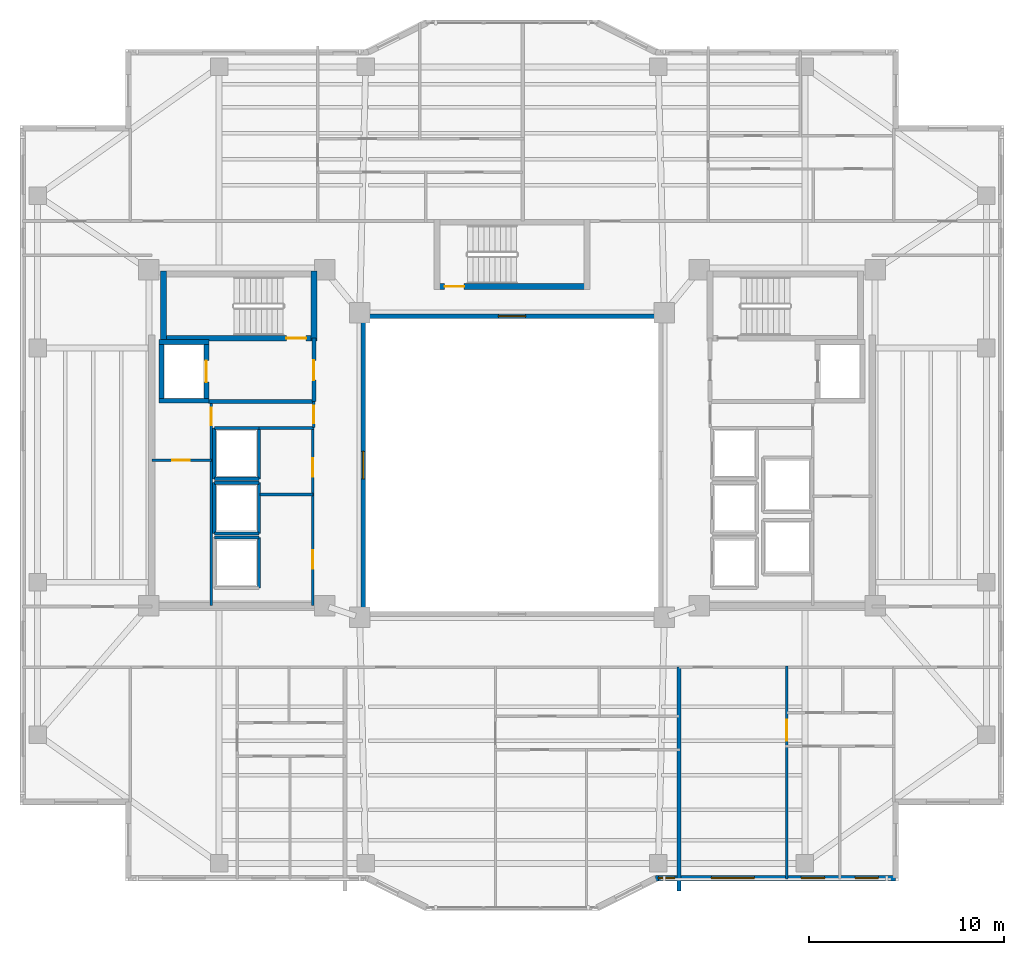
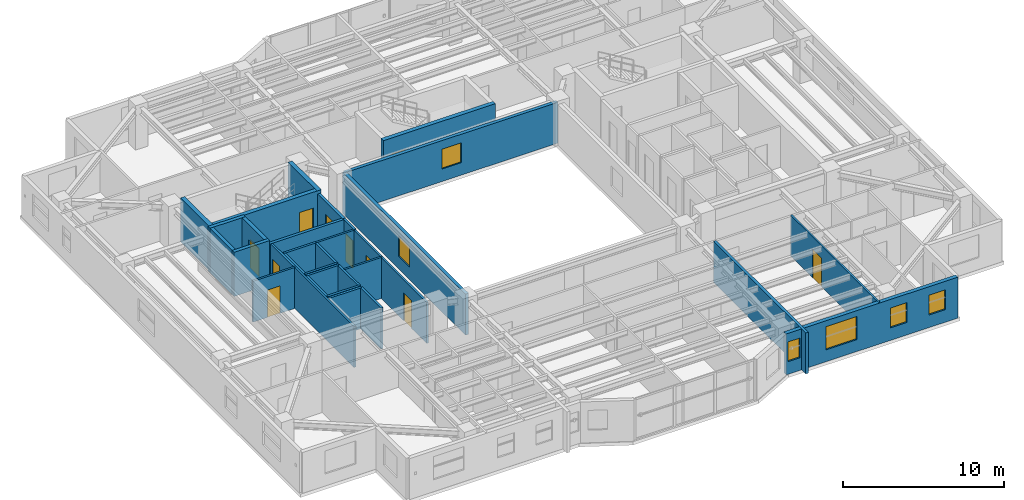
# One storey, part 7 of 15: 31 walls, 10 doors, 6 windows, 16 openings.
"""IFC4 building model written with IfcOpenShell, lengths in metres."""

from ifc_helpers import new_model, si_unit, direction, frame, frame_2d, origin, place, context, subcontext, project, spatial, rectangle, extrude, material, layer, layer_set, type_object, element, fill, save


model = new_model("IFC4")

# Units and contexts
model_context = context("Model", 3, precision=1e-05, world=origin(), true_north=direction((0.0, 1.0)))
body_context = subcontext(model_context, "Body", "Model", "MODEL_VIEW")
ifc_project = project(units=[si_unit("LENGTHUNIT", "METRE"), si_unit("AREAUNIT", "SQUARE_METRE"), si_unit("VOLUMEUNIT", "CUBIC_METRE"), si_unit("PLANEANGLEUNIT", "RADIAN"), si_unit("MASSUNIT", "GRAM", prefix="KILO")], contexts=[model_context])

# Site, building, storey
site_placement = place(None, origin())
site = spatial("IfcSite", under=ifc_project, at=site_placement, CompositionType="ELEMENT")
building_placement = place(site_placement, origin())
building = spatial("IfcBuilding", under=site, at=building_placement, Name="Tarnavaz Court Tower", CompositionType="ELEMENT")
storey_placement = place(building_placement, frame((0.0, 0.0, 159.39990234375)))
storey = spatial("IfcBuildingStorey", under=building, at=storey_placement, Name="L43", CompositionType="ELEMENT", Elevation=159.39990234375)

# Wall
ifc_material_1 = material(Name="Concrete C50/60", Category="concrete")
ifc_layer_1 = layer(ifc_material_1, 0.25)
ifc_layer_set_1 = layer_set([ifc_layer_1], Name="Concrete C50/60")
wall_type_1 = type_object("IfcWallType", Name="WL-CORE-250-C50", PredefinedType="SHEAR", material=ifc_layer_set_1)
wall_1_placement = place(storey_placement, frame((-17.949951171875, 3.175048828125, 0.0), z_axis=(0.0, 0.0, 1.0), x_axis=(0.0, 1.0, 0.0)))
element("IfcWall", 1, at=wall_1_placement, inside=storey, type_object=wall_type_1, Name="L43 Lift FL-W1 Shaft Wall 017", PredefinedType="SHEAR", context=body_context, shape_type="SweptSolid", body=[
    extrude(rectangle(XDim=3.25, YDim=0.25, at=frame_2d((1.625, 0.0))), origin(), (0.0, 0.0, 1.0), 3.35009765625),
])

# Wall, opening, door
wall_2_placement = place(storey_placement, frame((-15.64990234375, 3.175048828125, 0.0), z_axis=(0.0, 0.0, 1.0), x_axis=(0.0, 1.0, 0.0)))
wall_2 = element("IfcWall", 2, at=wall_2_placement, inside=storey, type_object=wall_type_1, Name="L43 Lift FL-W1 Shaft Wall 018", PredefinedType="SHEAR", context=body_context, shape_type="SweptSolid", body=[
    extrude(rectangle(XDim=3.25, YDim=0.25, at=frame_2d((1.625, 0.0))), origin(), (0.0, 0.0, 1.0), 3.35009765625),
])
opening_1_placement = place(wall_2_placement, frame((1.074951171875, 0.0, 0.0)))
opening_1 = element("IfcOpeningElement", 3, at=opening_1_placement, cuts=wall_2, Name="Opening LD1", PredefinedType="OPENING", context=body_context, shape_type="SweptSolid", body=[
    extrude(rectangle(XDim=1.10009765625, YDim=2.14990234375, at=frame_2d((0.550048828125, 1.074951171875))), frame((0.0, 0.135009765625, 0.0), z_axis=(0.0, -1.0, 0.0), x_axis=(1.0, 0.0, 0.0)), (0.0, 0.0, 1.0), 0.27001953125),
])
ifc_material_2 = material(Name="Stainless Steel", Category="steel")
door_type_1 = type_object("IfcDoorType", Name="DR-LD-1100", OperationType="NOTDEFINED", PredefinedType="DOOR", material=ifc_material_2)
door_1_placement = place(opening_1_placement, origin())
door_1 = element("IfcDoor", 4, at=door_1_placement, inside=storey, type_object=door_type_1, Name="L43 Lift Landing Door LD-FL-W1", OperationType="SLIDING_TO_LEFT", OverallHeight=2.14990234375, OverallWidth=1.10009765625, PredefinedType="DOOR", context=body_context, shape_type="SweptSolid", body=[
    extrude(rectangle(XDim=1.10009765625, YDim=2.14990234375, at=frame_2d((0.550048828125, 1.074951171875))), frame((0.0, 0.02490234375, 0.0), z_axis=(0.0, -1.0, 0.0), x_axis=(1.0, 0.0, 0.0)), (0.0, 0.0, 1.0), 0.050048828125),
])
fill(opening_1, door_1)

# Walls
for number, where, z_axis, x_axis, name in (
    (5, (-18.074951171875, 3.300048828125, 0.0), (0.0, 0.0, 1.0), (1.0, 0.0, 0.0), "L43 Lift FL-W1 Shaft Wall 019"),
    (6, (-18.074951171875, 6.300048828125, 0.0), (0.0, 0.0, 1.0), (1.0, 0.0, 0.0), "L43 Lift FL-W1 Shaft Wall 020"),
):
    element("IfcWall", number, at=place(storey_placement, frame(where, z_axis=z_axis, x_axis=x_axis)), inside=storey, type_object=wall_type_1, Name=name, PredefinedType="SHEAR", context=body_context, shape_type="SweptSolid", body=[
        extrude(rectangle(XDim=2.550048828125, YDim=0.25, at=frame_2d((1.27490234375, 0.0))), origin(), (0.0, 0.0, 1.0), 3.35009765625),
    ])

# Wall, opening, door
ifc_layer_2 = layer(ifc_material_1, 0.300048828125)
ifc_layer_set_2 = layer_set([ifc_layer_2], Name="Concrete C50/60")
wall_type_2 = type_object("IfcWallType", Name="WL-CORE-300-C50", PredefinedType="SHEAR", material=ifc_layer_set_2)
wall_3_placement = place(storey_placement, frame((-18.0, 6.5, 0.0), z_axis=(0.0, 0.0, 1.0), x_axis=(1.0, 0.0, 0.0)))
wall_3 = element("IfcWall", 7, at=wall_3_placement, inside=storey, type_object=wall_type_2, Name="L43 West Stair Core Wall 002", PredefinedType="SHEAR", context=body_context, shape_type="SweptSolid", body=[
    extrude(rectangle(XDim=8.0, YDim=0.300048828125, at=frame_2d((4.0, 0.0))), origin(), (0.0, 0.0, 1.0), 3.35009765625),
])
opening_2_placement = place(wall_3_placement, frame((6.449951171875, 0.0, 0.0)))
opening_2 = element("IfcOpeningElement", 8, at=opening_2_placement, cuts=wall_3, Name="Opening D01", PredefinedType="OPENING", context=body_context, shape_type="SweptSolid", body=[
    extrude(rectangle(XDim=1.0, YDim=2.14990234375, at=frame_2d((0.5, 1.074951171875))), frame((0.0, 0.159912109375, 0.0), z_axis=(0.0, -1.0, 0.0), x_axis=(1.0, 0.0, 0.0)), (0.0, 0.0, 1.0), 0.320068359375),
])
ifc_material_3 = material(Name="Fire-Rated Hardwood Timber Core", Category="wood")
door_type_2 = type_object("IfcDoorType", Name="DR-FD90-1000", OperationType="NOTDEFINED", PredefinedType="DOOR", material=ifc_material_3)
door_2_placement = place(opening_2_placement, origin())
door_2 = element("IfcDoor", 9, at=door_2_placement, inside=storey, type_object=door_type_2, Name="L43 Stair ST-W1 Exit Door", OperationType="SINGLE_SWING_LEFT", OverallHeight=2.14990234375, OverallWidth=1.0, PredefinedType="DOOR", context=body_context, shape_type="SweptSolid", body=[
    extrude(rectangle(XDim=1.0, YDim=2.14990234375, at=frame_2d((0.5, 1.074951171875))), frame((0.0, 0.02490234375, 0.0), z_axis=(0.0, -1.0, 0.0), x_axis=(1.0, 0.0, 0.0)), (0.0, 0.0, 1.0), 0.050048828125),
])
fill(opening_2, door_2)

# Walls
for number, where, z_axis, x_axis, name in (
    (10, (-17.85009765625, 6.35009765625, 0.0), (0.0, 0.0, 1.0), (0.0, 1.0, 0.0), "L43 West Stair Core Wall 003"),
    (11, (-10.14990234375, 6.35009765625, 0.0), (0.0, 0.0, 1.0), (0.0, 1.0, 0.0), "L43 West Stair Core Wall 004"),
):
    element("IfcWall", number, at=place(storey_placement, frame(where, z_axis=z_axis, x_axis=x_axis)), inside=storey, type_object=wall_type_2, Name=name, PredefinedType="SHEAR", context=body_context, shape_type="SweptSolid", body=[
        extrude(rectangle(XDim=3.58984375, YDim=0.300048828125, at=frame_2d((1.794921875, 0.0))), origin(), (0.0, 0.0, 1.0), 3.35009765625),
    ])

# Wall, opening, door
wall_4_placement = place(storey_placement, frame((-4.0, 9.14990234375, 0.0), z_axis=(0.0, 0.0, 1.0), x_axis=(1.0, 0.0, 0.0)))
wall_4 = element("IfcWall", 12, at=wall_4_placement, inside=storey, type_object=wall_type_2, Name="L43 North Stair Core Wall 010", PredefinedType="SHEAR", context=body_context, shape_type="SweptSolid", body=[
    extrude(rectangle(XDim=8.0, YDim=0.300048828125, at=frame_2d((4.0, 0.0))), origin(), (0.0, 0.0, 1.0), 3.35009765625),
])
opening_3_placement = place(wall_4_placement, frame((0.550048828125, 0.0, 0.0)))
opening_3 = element("IfcOpeningElement", 13, at=opening_3_placement, cuts=wall_4, Name="Opening D01", PredefinedType="OPENING", context=body_context, shape_type="SweptSolid", body=[
    extrude(rectangle(XDim=1.0, YDim=2.14990234375, at=frame_2d((0.5, 1.074951171875))), frame((0.0, 0.159912109375, 0.0), z_axis=(0.0, -1.0, 0.0), x_axis=(1.0, 0.0, 0.0)), (0.0, 0.0, 1.0), 0.320068359375),
])
door_3_placement = place(opening_3_placement, origin())
door_3 = element("IfcDoor", 14, at=door_3_placement, inside=storey, type_object=door_type_2, Name="L43 Stair ST-N1 Exit Door", OperationType="SINGLE_SWING_LEFT", OverallHeight=2.14990234375, OverallWidth=1.0, PredefinedType="DOOR", context=body_context, shape_type="SweptSolid", body=[
    extrude(rectangle(XDim=1.0, YDim=2.14990234375, at=frame_2d((0.5, 1.074951171875))), frame((0.0, 0.02490234375, 0.0), z_axis=(0.0, -1.0, 0.0), x_axis=(1.0, 0.0, 0.0)), (0.0, 0.0, 1.0), 0.050048828125),
])
fill(opening_3, door_3)

# Wall, openings, windows
ifc_material_4 = material(Name="Precast Concrete C40/50", Category="concrete")
ifc_layer_3 = layer(ifc_material_4, 0.280029296875)
ifc_layer_set_3 = layer_set([ifc_layer_3], Name="Precast Concrete C40/50")
wall_type_3 = type_object("IfcWallType", Name="WL-EXT-280", PredefinedType="SOLIDWALL", material=ifc_layer_set_3)
wall_5_placement = place(storey_placement, frame((19.64990234375, -21.14990234375, 0.0), z_axis=(0.0, 0.0, 1.0), x_axis=(-1.0, 0.0, 0.0)))
wall_5 = element("IfcWall", 15, at=wall_5_placement, inside=storey, type_object=wall_type_3, Name="L43 Exterior Terracotta Facade Wall 15", PredefinedType="SOLIDWALL", context=body_context, shape_type="SweptSolid", body=[
    extrude(rectangle(XDim=12.2998046875, YDim=0.280029296875, at=frame_2d((6.14990234375, 0.0))), origin(), (0.0, 0.0, 1.0), 3.10009765625),
])
opening_4_placement = place(wall_5_placement, frame((0.881103515625, 0.0, 0.949951171875)))
opening_4 = element("IfcOpeningElement", 16, at=opening_4_placement, cuts=wall_5, Name="Opening W05", PredefinedType="OPENING", context=body_context, shape_type="SweptSolid", body=[
    extrude(rectangle(XDim=1.199951171875, YDim=1.5, at=frame_2d((0.60009765625, 0.75))), frame((0.0, 0.14990234375, 0.0), z_axis=(0.0, -1.0, 0.0), x_axis=(1.0, 0.0, 0.0)), (0.0, 0.0, 1.0), 0.300048828125),
])
opening_5_placement = place(wall_5_placement, frame((3.64208984375, 0.0, 0.949951171875)))
opening_5 = element("IfcOpeningElement", 17, at=opening_5_placement, cuts=wall_5, Name="Opening W05", PredefinedType="OPENING", context=body_context, shape_type="SweptSolid", body=[
    extrude(rectangle(XDim=1.199951171875, YDim=1.5, at=frame_2d((0.60009765625, 0.75))), frame((0.0, 0.14990234375, 0.0), z_axis=(0.0, -1.0, 0.0), x_axis=(1.0, 0.0, 0.0)), (0.0, 0.0, 1.0), 0.300048828125),
])
opening_6_placement = place(wall_5_placement, frame((7.23388671875, 0.0, 0.89990234375)))
opening_6 = element("IfcOpeningElement", 18, at=opening_6_placement, cuts=wall_5, Name="Opening W07", PredefinedType="OPENING", context=body_context, shape_type="SweptSolid", body=[
    extrude(rectangle(XDim=2.199951171875, YDim=1.75, at=frame_2d((1.10009765625, 0.875))), frame((0.0, 0.14990234375, 0.0), z_axis=(0.0, -1.0, 0.0), x_axis=(1.0, 0.0, 0.0)), (0.0, 0.0, 1.0), 0.300048828125),
])
opening_7_placement = place(wall_5_placement, frame((11.302978515625, 0.0, 0.949951171875)))
opening_7 = element("IfcOpeningElement", 19, at=opening_7_placement, cuts=wall_5, Name="Opening W15", PredefinedType="OPENING", context=body_context, shape_type="SweptSolid", body=[
    extrude(rectangle(XDim=0.85009765625, YDim=1.5, at=frame_2d((0.425048828125, 0.75))), frame((0.0, 0.14990234375, 0.0), z_axis=(0.0, -1.0, 0.0), x_axis=(1.0, 0.0, 0.0)), (0.0, 0.0, 1.0), 0.300048828125),
])
ifc_material_5 = material(Name="Double-Glazed Solar Low-E Glass", Category="glass")
window_type_1 = type_object("IfcWindowType", Name="WN-APT-1200", PartitioningType="SINGLE_PANEL", PredefinedType="WINDOW", material=ifc_material_5)
window_1_placement = place(opening_4_placement, origin())
window_1 = element("IfcWindow", 20, at=window_1_placement, inside=storey, type_object=window_type_1, Name="L43 Flat 04 Bedroom 2 Window", OverallHeight=1.5, OverallWidth=1.199951171875, PartitioningType="SINGLE_PANEL", PredefinedType="WINDOW", context=body_context, shape_type="SweptSolid", body=[
    extrude(rectangle(XDim=1.199951171875, YDim=1.5, at=frame_2d((0.60009765625, 0.75))), frame((0.0, 0.030029296875, 0.0), z_axis=(0.0, -1.0, 0.0), x_axis=(1.0, 0.0, 0.0)), (0.0, 0.0, 1.0), 0.06005859375),
])
fill(opening_4, window_1)
window_2_placement = place(opening_5_placement, origin())
window_2 = element("IfcWindow", 21, at=window_2_placement, inside=storey, type_object=window_type_1, Name="L43 Flat 04 Principal Bedroom Window", OverallHeight=1.5, OverallWidth=1.199951171875, PartitioningType="SINGLE_PANEL", PredefinedType="WINDOW", context=body_context, shape_type="SweptSolid", body=[
    extrude(rectangle(XDim=1.199951171875, YDim=1.5, at=frame_2d((0.60009765625, 0.75))), frame((0.0, 0.030029296875, 0.0), z_axis=(0.0, -1.0, 0.0), x_axis=(1.0, 0.0, 0.0)), (0.0, 0.0, 1.0), 0.06005859375),
])
fill(opening_5, window_2)
window_type_2 = type_object("IfcWindowType", Name="WN-APT-2200", PartitioningType="TRIPLE_PANEL_VERTICAL", PredefinedType="WINDOW", material=ifc_material_5)
window_3_placement = place(opening_6_placement, origin())
window_3 = element("IfcWindow", 22, at=window_3_placement, inside=storey, type_object=window_type_2, Name="L43 Flat 04 Living and Dining Room Window", OverallHeight=1.75, OverallWidth=2.199951171875, PartitioningType="SINGLE_PANEL", PredefinedType="WINDOW", context=body_context, shape_type="SweptSolid", body=[
    extrude(rectangle(XDim=2.199951171875, YDim=1.75, at=frame_2d((1.10009765625, 0.875))), frame((0.0, 0.030029296875, 0.0), z_axis=(0.0, -1.0, 0.0), x_axis=(1.0, 0.0, 0.0)), (0.0, 0.0, 1.0), 0.06005859375),
])
fill(opening_6, window_3)
window_type_3 = type_object("IfcWindowType", Name="WN-APT-850", PartitioningType="SINGLE_PANEL", PredefinedType="WINDOW", material=ifc_material_5)
window_4_placement = place(opening_7_placement, origin())
window_4 = element("IfcWindow", 23, at=window_4_placement, inside=storey, type_object=window_type_3, Name="L43 Flat 05 Bedroom 2 Window", OverallHeight=1.5, OverallWidth=0.85009765625, PartitioningType="SINGLE_PANEL", PredefinedType="WINDOW", context=body_context, shape_type="SweptSolid", body=[
    extrude(rectangle(XDim=0.85009765625, YDim=1.5, at=frame_2d((0.425048828125, 0.75))), frame((0.0, 0.030029296875, 0.0), z_axis=(0.0, -1.0, 0.0), x_axis=(1.0, 0.0, 0.0)), (0.0, 0.0, 1.0), 0.06005859375),
])
fill(opening_7, window_4)

# Wall
ifc_material_6 = material(Name="Autoclaved Aerated Concrete Blockwork", Category="masonry")
ifc_layer_4 = layer(ifc_material_6, 0.199951171875)
ifc_layer_set_4 = layer_set([ifc_layer_4], Name="Autoclaved Aerated Concrete Blockwork")
wall_type_4 = type_object("IfcWallType", Name="WL-FIRE-200", PredefinedType="SOLIDWALL", material=ifc_layer_set_4)
wall_6_placement = place(storey_placement, frame((-15.550048828125, 3.25, 0.0), z_axis=(0.0, 0.0, 1.0), x_axis=(1.0, 0.0, 0.0)))
element("IfcWall", 24, at=wall_6_placement, inside=storey, type_object=wall_type_4, Name="L43 West Firefighting Lobby Wall 013", PredefinedType="SOLIDWALL", context=body_context, shape_type="SweptSolid", body=[
    extrude(rectangle(XDim=5.400146484375, YDim=0.199951171875, at=frame_2d((2.7001953125, 0.0))), origin(), (0.0, 0.0, 1.0), 3.10009765625),
])

# Wall, opening, door
wall_7_placement = place(storey_placement, frame((-10.14990234375, 3.25, 0.0), z_axis=(0.0, 0.0, 1.0), x_axis=(0.0, 1.0, 0.0)))
wall_7 = element("IfcWall", 25, at=wall_7_placement, inside=storey, type_object=wall_type_4, Name="L43 West Firefighting Lobby Wall 014", PredefinedType="SOLIDWALL", context=body_context, shape_type="SweptSolid", body=[
    extrude(rectangle(XDim=3.25, YDim=0.199951171875, at=frame_2d((1.625, 0.0))), origin(), (0.0, 0.0, 1.0), 3.10009765625),
])
opening_8_placement = place(wall_7_placement, frame((1.10009765625, 0.0, 0.0)))
opening_8 = element("IfcOpeningElement", 26, at=opening_8_placement, cuts=wall_7, Name="Opening D05", PredefinedType="OPENING", context=body_context, shape_type="SweptSolid", body=[
    extrude(rectangle(XDim=1.02001953125, YDim=2.14990234375, at=frame_2d((0.510009765625, 1.074951171875))), frame((0.0, 0.10986328125, 0.0), z_axis=(0.0, -1.0, 0.0), x_axis=(1.0, 0.0, 0.0)), (0.0, 0.0, 1.0), 0.219970703125),
])
door_type_3 = type_object("IfcDoorType", Name="DR-FD60-1000", OperationType="NOTDEFINED", PredefinedType="DOOR", material=ifc_material_3)
door_4_placement = place(opening_8_placement, origin())
door_4 = element("IfcDoor", 27, at=door_4_placement, inside=storey, type_object=door_type_3, Name="L43 West Firefighting Lobby Door", OperationType="SINGLE_SWING_RIGHT", OverallHeight=2.14990234375, OverallWidth=1.02001953125, PredefinedType="DOOR", context=body_context, shape_type="SweptSolid", body=[
    extrude(rectangle(XDim=1.02001953125, YDim=2.14990234375, at=frame_2d((0.510009765625, 1.074951171875))), frame((0.0, 0.02490234375, 0.0), z_axis=(0.0, -1.0, 0.0), x_axis=(1.0, 0.0, 0.0)), (0.0, 0.0, 1.0), 0.050048828125),
])
fill(opening_8, door_4)

# Wall
wall_8_placement = place(storey_placement, frame((8.550048828125, -21.803955078125, 0.0), z_axis=(0.0, 0.0, 1.0), x_axis=(0.0, 1.0, 0.0)))
element("IfcWall", 28, at=wall_8_placement, inside=storey, type_object=wall_type_4, Name="L43 Party Wall 101", PredefinedType="SOLIDWALL", context=body_context, shape_type="SweptSolid", body=[
    extrude(rectangle(XDim=11.453857421875, YDim=0.199951171875, at=frame_2d((5.72705078125, 0.0))), origin(), (0.0, 0.0, 1.0), 3.10009765625),
])

# Wall, opening, door
ifc_material_7 = material(Name="Moisture-Resistant Gypsum Board Partition", Category="masonry")
ifc_layer_5 = layer(ifc_material_7, 0.1201171875)
ifc_layer_set_5 = layer_set([ifc_layer_5], Name="Moisture-Resistant Gypsum Board Partition")
wall_type_5 = type_object("IfcWallType", Name="WL-PART-120", PredefinedType="PARTITIONING", material=ifc_layer_set_5)
wall_9_placement = place(storey_placement, frame((14.074951171875, -21.199951171875, 0.0), z_axis=(0.0, 0.0, 1.0), x_axis=(0.0, 1.0, 0.0)))
wall_9 = element("IfcWall", 29, at=wall_9_placement, inside=storey, type_object=wall_type_5, Name="L43 Interior Partition 094", PredefinedType="PARTITIONING", context=body_context, shape_type="SweptSolid", body=[
    extrude(rectangle(XDim=10.909912109375, YDim=0.1201171875, at=frame_2d((5.455078125, 0.0))), origin(), (0.0, 0.0, 1.0), 3.10009765625),
])
opening_9_placement = place(wall_9_placement, frame((7.0849609375, 0.0, 0.0)))
opening_9 = element("IfcOpeningElement", 30, at=opening_9_placement, cuts=wall_9, Name="Opening D12", PredefinedType="OPENING", context=body_context, shape_type="SweptSolid", body=[
    extrude(rectangle(XDim=1.080078125, YDim=2.14990234375, at=frame_2d((0.5400390625, 1.074951171875))), frame((0.0, 0.070068359375, 0.0), z_axis=(0.0, -1.0, 0.0), x_axis=(1.0, 0.0, 0.0)), (0.0, 0.0, 1.0), 0.14013671875),
])
ifc_material_8 = material(Name="Engineered Oak Timber", Category="wood")
door_type_4 = type_object("IfcDoorType", Name="DR-INT-1100", OperationType="NOTDEFINED", PredefinedType="DOOR", material=ifc_material_8)
door_5_placement = place(opening_9_placement, origin())
door_5 = element("IfcDoor", 31, at=door_5_placement, inside=storey, type_object=door_type_4, Name="L43 Flat 04 Foyer Door", OperationType="SINGLE_SWING_RIGHT", OverallHeight=2.14990234375, OverallWidth=1.080078125, PredefinedType="DOOR", context=body_context, shape_type="SweptSolid", body=[
    extrude(rectangle(XDim=1.080078125, YDim=2.14990234375, at=frame_2d((0.5400390625, 1.074951171875))), frame((0.0, 0.02490234375, 0.0), z_axis=(0.0, -1.0, 0.0), x_axis=(1.0, 0.0, 0.0)), (0.0, 0.0, 1.0), 0.050048828125),
])
fill(opening_9, door_5)

# Wall
ifc_material_9 = material(Name="Gypsum Plasterboard Acoustic Partition", Category="masonry")
ifc_layer_6 = layer(ifc_material_9, 0.139892578125)
ifc_layer_set_6 = layer_set([ifc_layer_6], Name="Gypsum Plasterboard Acoustic Partition")
wall_type_6 = type_object("IfcWallType", Name="WL-PART-150", PredefinedType="PARTITIONING", material=ifc_layer_set_6)
wall_10_placement = place(storey_placement, frame((-12.949951171875, 1.89990234375, 0.0), z_axis=(0.0, 0.0, 1.0), x_axis=(1.0, 0.0, 0.0)))
element("IfcWall", 32, at=wall_10_placement, inside=storey, type_object=wall_type_6, Name="L43 Interior Partition 061", PredefinedType="PARTITIONING", context=body_context, shape_type="SweptSolid", body=[
    extrude(rectangle(XDim=2.800048828125, YDim=0.139892578125, at=frame_2d((1.39990234375, 0.0))), origin(), (0.0, 0.0, 1.0), 3.10009765625),
])

# Wall, opening, door
wall_11_placement = place(storey_placement, frame((-10.14990234375, 1.919921875, 0.0), z_axis=(0.0, 0.0, 1.0), x_axis=(0.0, 1.0, 0.0)))
wall_11 = element("IfcWall", 33, at=wall_11_placement, inside=storey, type_object=wall_type_6, Name="L43 Interior Partition 062", PredefinedType="PARTITIONING", context=body_context, shape_type="SweptSolid", body=[
    extrude(rectangle(XDim=1.330078125, YDim=0.139892578125, at=frame_2d((0.6650390625, 0.0))), origin(), (0.0, 0.0, 1.0), 3.10009765625),
])
opening_10_placement = place(wall_11_placement, frame((0.219970703125, 0.0, 0.0)))
opening_10 = element("IfcOpeningElement", 34, at=opening_10_placement, cuts=wall_11, Name="Opening D09", PredefinedType="OPENING", context=body_context, shape_type="SweptSolid", body=[
    extrude(rectangle(XDim=0.89990234375, YDim=2.080078125, at=frame_2d((0.449951171875, 1.0400390625))), frame((0.0, 0.079833984375, 0.0), z_axis=(0.0, -1.0, 0.0), x_axis=(1.0, 0.0, 0.0)), (0.0, 0.0, 1.0), 0.159912109375),
])
door_type_5 = type_object("IfcDoorType", Name="DR-FD30-900", OperationType="NOTDEFINED", PredefinedType="DOOR", material=ifc_material_3)
door_6_placement = place(opening_10_placement, origin())
door_6 = element("IfcDoor", 35, at=door_6_placement, inside=storey, type_object=door_type_5, Name="L43 West Core Service Lobby Door", OperationType="SINGLE_SWING_LEFT", OverallHeight=2.080078125, OverallWidth=0.89990234375, PredefinedType="DOOR", context=body_context, shape_type="SweptSolid", body=[
    extrude(rectangle(XDim=0.89990234375, YDim=2.080078125, at=frame_2d((0.449951171875, 1.0400390625))), frame((0.0, 0.02490234375, 0.0), z_axis=(0.0, -1.0, 0.0), x_axis=(1.0, 0.0, 0.0)), (0.0, 0.0, 1.0), 0.050048828125),
])
fill(opening_10, door_6)

wall_12_placement = place(storey_placement, frame((-15.39990234375, -7.199951171875, 0.0), z_axis=(0.0, 0.0, 1.0), x_axis=(0.0, 1.0, 0.0)))
wall_12 = element("IfcWall", 36, at=wall_12_placement, inside=storey, type_object=wall_type_6, Name="L43 Interior Partition 063", PredefinedType="PARTITIONING", context=body_context, shape_type="SweptSolid", body=[
    extrude(rectangle(XDim=10.449951171875, YDim=0.139892578125, at=frame_2d((5.22509765625, 0.0))), origin(), (0.0, 0.0, 1.0), 3.10009765625),
])
opening_11_placement = place(wall_12_placement, frame((9.25, 0.0, 0.0)))
opening_11 = element("IfcOpeningElement", 37, at=opening_11_placement, cuts=wall_12, Name="Opening D09", PredefinedType="OPENING", context=body_context, shape_type="SweptSolid", body=[
    extrude(rectangle(XDim=0.89990234375, YDim=2.080078125, at=frame_2d((0.449951171875, 1.0400390625))), frame((0.0, 0.079833984375, 0.0), z_axis=(0.0, -1.0, 0.0), x_axis=(1.0, 0.0, 0.0)), (0.0, 0.0, 1.0), 0.159912109375),
])
door_7_placement = place(opening_11_placement, origin())
door_7 = element("IfcDoor", 38, at=door_7_placement, inside=storey, type_object=door_type_5, Name="L43 West Data Room Door", OperationType="SINGLE_SWING_RIGHT", OverallHeight=2.080078125, OverallWidth=0.89990234375, PredefinedType="DOOR", context=body_context, shape_type="SweptSolid", body=[
    extrude(rectangle(XDim=0.89990234375, YDim=2.080078125, at=frame_2d((0.449951171875, 1.0400390625))), frame((0.0, 0.02490234375, 0.0), z_axis=(0.0, -1.0, 0.0), x_axis=(1.0, 0.0, 0.0)), (0.0, 0.0, 1.0), 0.050048828125),
])
fill(opening_11, door_7)

wall_13_placement = place(storey_placement, frame((-18.449951171875, 0.25, 0.0), z_axis=(0.0, 0.0, 1.0), x_axis=(1.0, 0.0, 0.0)))
wall_13 = element("IfcWall", 39, at=wall_13_placement, inside=storey, type_object=wall_type_6, Name="L43 Interior Partition 064", PredefinedType="PARTITIONING", context=body_context, shape_type="SweptSolid", body=[
    extrude(rectangle(XDim=3.050048828125, YDim=0.139892578125, at=frame_2d((1.52490234375, 0.0))), origin(), (0.0, 0.0, 1.0), 3.10009765625),
])
opening_12_placement = place(wall_13_placement, frame((1.050048828125, 0.0, 0.0)))
opening_12 = element("IfcOpeningElement", 40, at=opening_12_placement, cuts=wall_13, Name="Opening D09", PredefinedType="OPENING", context=body_context, shape_type="SweptSolid", body=[
    extrude(rectangle(XDim=0.89990234375, YDim=2.080078125, at=frame_2d((0.449951171875, 1.0400390625))), frame((0.0, 0.079833984375, 0.0), z_axis=(0.0, -1.0, 0.0), x_axis=(1.0, 0.0, 0.0)), (0.0, 0.0, 1.0), 0.159912109375),
])
door_8_placement = place(opening_12_placement, origin())
door_8 = element("IfcDoor", 41, at=door_8_placement, inside=storey, type_object=door_type_5, Name="L43 West Mechanical Riser Door", OperationType="SINGLE_SWING_LEFT", OverallHeight=2.080078125, OverallWidth=0.89990234375, PredefinedType="DOOR", context=body_context, shape_type="SweptSolid", body=[
    extrude(rectangle(XDim=0.89990234375, YDim=2.080078125, at=frame_2d((0.449951171875, 1.0400390625))), frame((0.0, 0.02490234375, 0.0), z_axis=(0.0, -1.0, 0.0), x_axis=(1.0, 0.0, 0.0)), (0.0, 0.0, 1.0), 0.050048828125),
])
fill(opening_12, door_8)

# Wall, openings, doors
wall_14_placement = place(storey_placement, frame((-10.199951171875, -7.199951171875, 0.0), z_axis=(0.0, 0.0, 1.0), x_axis=(0.0, 1.0, 0.0)))
wall_14 = element("IfcWall", 42, at=wall_14_placement, inside=storey, type_object=wall_type_6, Name="L43 West Reclaimed Core Wall 065", PredefinedType="PARTITIONING", context=body_context, shape_type="SweptSolid", body=[
    extrude(rectangle(XDim=9.119873046875, YDim=0.139892578125, at=frame_2d((4.56005859375, 0.0))), origin(), (0.0, 0.0, 1.0), 3.10009765625),
])
opening_13_placement = place(wall_14_placement, frame((1.89990234375, 0.0, 0.0)))
opening_13 = element("IfcOpeningElement", 43, at=opening_13_placement, cuts=wall_14, Name="Opening D08", PredefinedType="OPENING", context=body_context, shape_type="SweptSolid", body=[
    extrude(rectangle(XDim=0.949951171875, YDim=2.1201171875, at=frame_2d((0.47509765625, 1.06005859375))), frame((0.0, 0.079833984375, 0.0), z_axis=(0.0, -1.0, 0.0), x_axis=(1.0, 0.0, 0.0)), (0.0, 0.0, 1.0), 0.159912109375),
])
opening_14_placement = place(wall_14_placement, frame((6.60009765625, 0.0, 0.0)))
opening_14 = element("IfcOpeningElement", 44, at=opening_14_placement, cuts=wall_14, Name="Opening D08", PredefinedType="OPENING", context=body_context, shape_type="SweptSolid", body=[
    extrude(rectangle(XDim=0.949951171875, YDim=2.1201171875, at=frame_2d((0.47509765625, 1.06005859375))), frame((0.0, 0.079833984375, 0.0), z_axis=(0.0, -1.0, 0.0), x_axis=(1.0, 0.0, 0.0)), (0.0, 0.0, 1.0), 0.159912109375),
])
door_type_6 = type_object("IfcDoorType", Name="DR-FD30-950", OperationType="NOTDEFINED", PredefinedType="DOOR", material=ifc_material_3)
door_9_placement = place(opening_13_placement, origin())
door_9 = element("IfcDoor", 45, at=door_9_placement, inside=storey, type_object=door_type_6, Name="L43 West Study Room Door", OperationType="SINGLE_SWING_RIGHT", OverallHeight=2.1201171875, OverallWidth=0.949951171875, PredefinedType="DOOR", context=body_context, shape_type="SweptSolid", body=[
    extrude(rectangle(XDim=0.949951171875, YDim=2.1201171875, at=frame_2d((0.47509765625, 1.06005859375))), frame((0.0, 0.02490234375, 0.0), z_axis=(0.0, -1.0, 0.0), x_axis=(1.0, 0.0, 0.0)), (0.0, 0.0, 1.0), 0.050048828125),
])
fill(opening_13, door_9)
door_10_placement = place(opening_14_placement, origin())
door_10 = element("IfcDoor", 46, at=door_10_placement, inside=storey, type_object=door_type_6, Name="L43 West Laundry Room Door", OperationType="SINGLE_SWING_LEFT", OverallHeight=2.1201171875, OverallWidth=0.949951171875, PredefinedType="DOOR", context=body_context, shape_type="SweptSolid", body=[
    extrude(rectangle(XDim=0.949951171875, YDim=2.1201171875, at=frame_2d((0.47509765625, 1.06005859375))), frame((0.0, 0.02490234375, 0.0), z_axis=(0.0, -1.0, 0.0), x_axis=(1.0, 0.0, 0.0)), (0.0, 0.0, 1.0), 0.050048828125),
])
fill(opening_14, door_10)

# Walls
wall_15_placement = place(storey_placement, frame((-12.89990234375, -1.5, 0.0), z_axis=(0.0, 0.0, 1.0), x_axis=(1.0, 0.0, 0.0)))
element("IfcWall", 47, at=wall_15_placement, inside=storey, type_object=wall_type_6, Name="L43 Interior Partition 066", PredefinedType="PARTITIONING", context=body_context, shape_type="SweptSolid", body=[
    extrude(rectangle(XDim=2.699951171875, YDim=0.139892578125, at=frame_2d((1.35009765625, 0.0))), origin(), (0.0, 0.0, 1.0), 3.10009765625),
])
ifc_layer_7 = layer(ifc_material_6, 0.159912109375)
ifc_layer_set_7 = layer_set([ifc_layer_7], Name="Autoclaved Aerated Concrete Blockwork")
wall_type_7 = type_object("IfcWallType", Name="WL-SHAFT-150", PredefinedType="SOLIDWALL", material=ifc_layer_set_7)
wall_16_placement = place(storey_placement, frame((-12.949951171875, -6.300048828125, 0.0), z_axis=(0.0, 0.0, 1.0), x_axis=(0.0, 1.0, 0.0)))
element("IfcWall", 48, at=wall_16_placement, inside=storey, type_object=wall_type_7, Name="L43 Lift PL-H1 Shaft Wall 022", PredefinedType="SOLIDWALL", context=body_context, shape_type="SweptSolid", body=[
    extrude(rectangle(XDim=2.60009765625, YDim=0.159912109375, at=frame_2d((1.300048828125, 0.0))), origin(), (0.0, 0.0, 1.0), 3.10009765625),
])
wall_17_placement = place(storey_placement, frame((-15.25, -3.699951171875, 0.0), z_axis=(0.0, 0.0, 1.0), x_axis=(1.0, 0.0, 0.0)))
element("IfcWall", 49, at=wall_17_placement, inside=storey, type_object=wall_type_7, Name="L43 Lift PL-H1 Shaft Wall 024", PredefinedType="SOLIDWALL", context=body_context, shape_type="SweptSolid", body=[
    extrude(rectangle(XDim=2.300048828125, YDim=0.159912109375, at=frame_2d((1.14990234375, 0.0))), origin(), (0.0, 0.0, 1.0), 3.10009765625),
])
for number, where, z_axis, x_axis, name in (
    (50, (-15.25, -3.5, 0.0), (0.0, 0.0, 1.0), (0.0, 1.0, 0.0), "L43 Lift PL-H2 Shaft Wall 025"),
    (51, (-12.949951171875, -3.5, 0.0), (0.0, 0.0, 1.0), (0.0, 1.0, 0.0), "L43 Lift PL-H2 Shaft Wall 026"),
):
    element("IfcWall", number, at=place(storey_placement, frame(where, z_axis=z_axis, x_axis=x_axis)), inside=storey, type_object=wall_type_7, Name=name, PredefinedType="SOLIDWALL", context=body_context, shape_type="SweptSolid", body=[
        extrude(rectangle(XDim=2.60009765625, YDim=0.159912109375, at=frame_2d((1.300048828125, 0.0))), origin(), (0.0, 0.0, 1.0), 3.10009765625),
    ])
for number, where, z_axis, x_axis, name in (
    (52, (-15.25, -3.5, 0.0), (0.0, 0.0, 1.0), (1.0, 0.0, 0.0), "L43 Lift PL-H2 Shaft Wall 027"),
    (53, (-15.25, -0.89990234375, 0.0), (0.0, 0.0, 1.0), (1.0, 0.0, 0.0), "L43 Lift PL-H2 Shaft Wall 028"),
):
    element("IfcWall", number, at=place(storey_placement, frame(where, z_axis=z_axis, x_axis=x_axis)), inside=storey, type_object=wall_type_7, Name=name, PredefinedType="SOLIDWALL", context=body_context, shape_type="SweptSolid", body=[
        extrude(rectangle(XDim=2.300048828125, YDim=0.159912109375, at=frame_2d((1.14990234375, 0.0))), origin(), (0.0, 0.0, 1.0), 3.10009765625),
    ])
for number, where, z_axis, x_axis, name in (
    (54, (-15.25, -0.699951171875, 0.0), (0.0, 0.0, 1.0), (0.0, 1.0, 0.0), "L43 Lift PL-H3 Shaft Wall 029"),
    (55, (-12.949951171875, -0.699951171875, 0.0), (0.0, 0.0, 1.0), (0.0, 1.0, 0.0), "L43 Lift PL-H3 Shaft Wall 030"),
):
    element("IfcWall", number, at=place(storey_placement, frame(where, z_axis=z_axis, x_axis=x_axis)), inside=storey, type_object=wall_type_7, Name=name, PredefinedType="SOLIDWALL", context=body_context, shape_type="SweptSolid", body=[
        extrude(rectangle(XDim=2.599853515625, YDim=0.159912109375, at=frame_2d((1.2998046875, 0.0))), origin(), (0.0, 0.0, 1.0), 3.10009765625),
    ])
for number, where, z_axis, x_axis, name in (
    (56, (-15.25, -0.699951171875, 0.0), (0.0, 0.0, 1.0), (1.0, 0.0, 0.0), "L43 Lift PL-H3 Shaft Wall 031"),
    (57, (-15.25, 1.89990234375, 0.0), (0.0, 0.0, 1.0), (1.0, 0.0, 0.0), "L43 Lift PL-H3 Shaft Wall 032"),
):
    element("IfcWall", number, at=place(storey_placement, frame(where, z_axis=z_axis, x_axis=x_axis)), inside=storey, type_object=wall_type_7, Name=name, PredefinedType="SOLIDWALL", context=body_context, shape_type="SweptSolid", body=[
        extrude(rectangle(XDim=2.300048828125, YDim=0.159912109375, at=frame_2d((1.14990234375, 0.0))), origin(), (0.0, 0.0, 1.0), 3.10009765625),
    ])

# Wall, opening, window
ifc_layer_8 = layer(ifc_material_4, 0.239990234375)
ifc_layer_set_8 = layer_set([ifc_layer_8], Name="Precast Concrete C40/50")
wall_type_8 = type_object("IfcWallType", Name="WL-WELL-240", PredefinedType="SOLIDWALL", material=ifc_layer_set_8)
wall_18_placement = place(storey_placement, frame((7.6201171875, 7.6201171875, 0.0), z_axis=(0.0, 0.0, 1.0), x_axis=(-1.0, 0.0, 0.0)))
wall_18 = element("IfcWall", 58, at=wall_18_placement, inside=storey, type_object=wall_type_8, Name="L43 Badgir Light-Well Exterior Wall N", PredefinedType="SOLIDWALL", context=body_context, shape_type="SweptSolid", body=[
    extrude(rectangle(XDim=15.240234375, YDim=0.239990234375, at=frame_2d((7.6201171875, 0.0))), origin(), (0.0, 0.0, 1.0), 3.10009765625),
])
opening_15_placement = place(wall_18_placement, frame((6.919921875, 0.0, 0.949951171875)))
opening_15 = element("IfcOpeningElement", 59, at=opening_15_placement, cuts=wall_18, Name="Opening W13", PredefinedType="OPENING", context=body_context, shape_type="SweptSolid", body=[
    extrude(rectangle(XDim=1.39990234375, YDim=1.5, at=frame_2d((0.699951171875, 0.75))), frame((0.0, 0.1298828125, 0.0), z_axis=(0.0, -1.0, 0.0), x_axis=(1.0, 0.0, 0.0)), (0.0, 0.0, 1.0), 0.260009765625),
])
window_type_4 = type_object("IfcWindowType", Name="WN-WEL-1400", PartitioningType="SINGLE_PANEL", PredefinedType="WINDOW", material=ifc_material_5)
window_5_placement = place(opening_15_placement, origin())
window_5 = element("IfcWindow", 60, at=window_5_placement, inside=storey, type_object=window_type_4, Name="L43 Courtyard Gallery Window N", OverallHeight=1.5, OverallWidth=1.39990234375, PartitioningType="SINGLE_PANEL", PredefinedType="WINDOW", context=body_context, shape_type="SweptSolid", body=[
    extrude(rectangle(XDim=1.39990234375, YDim=1.5, at=frame_2d((0.699951171875, 0.75))), frame((0.0, 0.030029296875, 0.0), z_axis=(0.0, -1.0, 0.0), x_axis=(1.0, 0.0, 0.0)), (0.0, 0.0, 1.0), 0.06005859375),
])
fill(opening_15, window_5)

wall_19_placement = place(storey_placement, frame((-7.6201171875, 7.6201171875, 0.0), z_axis=(0.0, 0.0, 1.0), x_axis=(0.0, -1.0, 0.0)))
wall_19 = element("IfcWall", 61, at=wall_19_placement, inside=storey, type_object=wall_type_8, Name="L43 Badgir Light-Well Exterior Wall W", PredefinedType="SOLIDWALL", context=body_context, shape_type="SweptSolid", body=[
    extrude(rectangle(XDim=15.240234375, YDim=0.239990234375, at=frame_2d((7.6201171875, 0.0))), origin(), (0.0, 0.0, 1.0), 3.10009765625),
])
opening_16_placement = place(wall_19_placement, frame((6.919921875, 0.0, 0.949951171875)))
opening_16 = element("IfcOpeningElement", 62, at=opening_16_placement, cuts=wall_19, Name="Opening W13", PredefinedType="OPENING", context=body_context, shape_type="SweptSolid", body=[
    extrude(rectangle(XDim=1.39990234375, YDim=1.5, at=frame_2d((0.699951171875, 0.75))), frame((0.0, 0.1298828125, 0.0), z_axis=(0.0, -1.0, 0.0), x_axis=(1.0, 0.0, 0.0)), (0.0, 0.0, 1.0), 0.260009765625),
])
window_6_placement = place(opening_16_placement, origin())
window_6 = element("IfcWindow", 63, at=window_6_placement, inside=storey, type_object=window_type_4, Name="L43 Courtyard Gallery Window W", OverallHeight=1.5, OverallWidth=1.39990234375, PartitioningType="SINGLE_PANEL", PredefinedType="WINDOW", context=body_context, shape_type="SweptSolid", body=[
    extrude(rectangle(XDim=1.39990234375, YDim=1.5, at=frame_2d((0.699951171875, 0.75))), frame((0.0, 0.030029296875, 0.0), z_axis=(0.0, -1.0, 0.0), x_axis=(1.0, 0.0, 0.0)), (0.0, 0.0, 1.0), 0.06005859375),
])
fill(opening_16, window_6)

save(model, "model.ifc")
